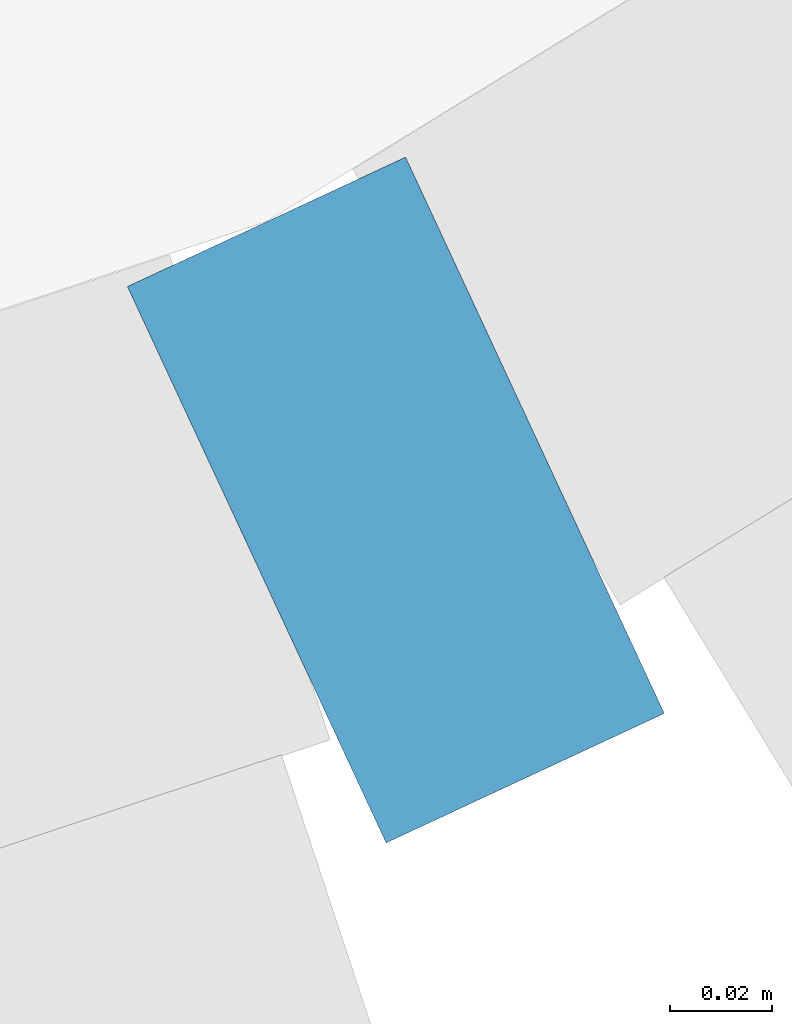
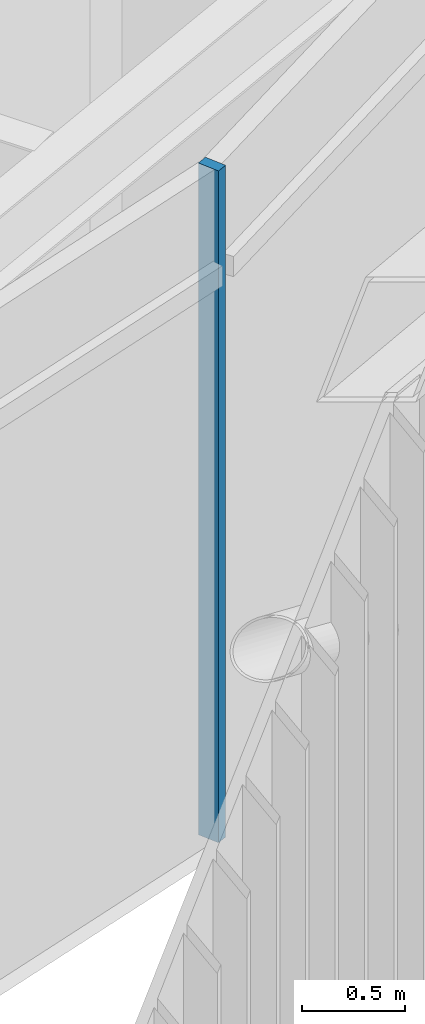
# One storey, part 11 of 71: 1 member, 1 element without a shape of its own.
"""IFC4 building model written with IfcOpenShell, lengths in metres."""

from ifc_helpers import new_model, si_unit, direction, frame, origin, origin_2d, place, context, subcontext, project, spatial, rectangle, extrude, material, material_profile, profile_set, type_object, element, aggregate, save


model = new_model("IFC4")

# Units and contexts
model_context = context("Model", 3, precision=1e-05, world=origin(), true_north=direction((0.0, 1.0)))
body_context = subcontext(model_context, "Body", "Model", "MODEL_VIEW")
ifc_project = project(units=[si_unit("LENGTHUNIT", "METRE"), si_unit("AREAUNIT", "SQUARE_METRE"), si_unit("VOLUMEUNIT", "CUBIC_METRE"), si_unit("PLANEANGLEUNIT", "RADIAN"), si_unit("MASSUNIT", "GRAM", prefix="KILO")], contexts=[model_context])

# Site, building, storey
site_placement = place(None, origin())
site = spatial("IfcSite", under=ifc_project, at=site_placement, CompositionType="ELEMENT")
building_placement = place(site_placement, origin())
building = spatial("IfcBuilding", under=site, at=building_placement, Name="Rimbun Link Towers", CompositionType="ELEMENT")
storey_placement = place(building_placement, frame((0.0, 0.0, 267.60009765625)))
storey = spatial("IfcBuildingStorey", under=building, at=storey_placement, Name="L65", CompositionType="ELEMENT", Elevation=267.60009765625)

# Curtain wall, member
ifc_material_1 = material(Name="Aluminium 6063-T6 louvre wall", Category="aluminium")
curtain_wall_type = type_object("IfcCurtainWallType", Name="CW6 plant floor louvre wall", PredefinedType="NOTDEFINED", material=ifc_material_1)
curtain_wall_placement = place(storey_placement, origin())
curtain_wall = element("IfcCurtainWall", 1, at=curtain_wall_placement, inside=storey, type_object=curtain_wall_type, Name="CW6 L65 T1", PredefinedType="NOTDEFINED")
ifc_material_2 = material(Name="Aluminium 6063-T6", Category="aluminium")
ifc_material_profile = material_profile(ifc_material_2, rectangle(XDim=0.1201171875, YDim=0.06005859375, at=origin_2d()), Name="MULLION 60X120")
ifc_profile_set = profile_set([ifc_material_profile], Name="Aluminium 6063-T6")
member_type = type_object("IfcMemberType", Name="CW6 mullion 60X120", PredefinedType="MULLION", material=ifc_profile_set)
member_placement = place(storey_placement, frame((-22.705322265625, -15.67626953125, 0.0), z_axis=(0.0, 0.0, 1.0), x_axis=(0.421708717107, -0.906731359288, 0.0)))
member = element("IfcMember", 2, at=member_placement, type_object=member_type, Name="CW6 mullion", PredefinedType="MULLION", context=body_context, shape_type="SweptSolid", body=[
    extrude(rectangle(XDim=0.1201171875, YDim=0.06005859375, at=origin_2d()), origin(), (0.0, 0.0, 1.0), 4.0),
])
aggregate(curtain_wall, [member])

save(model, "model.ifc")
